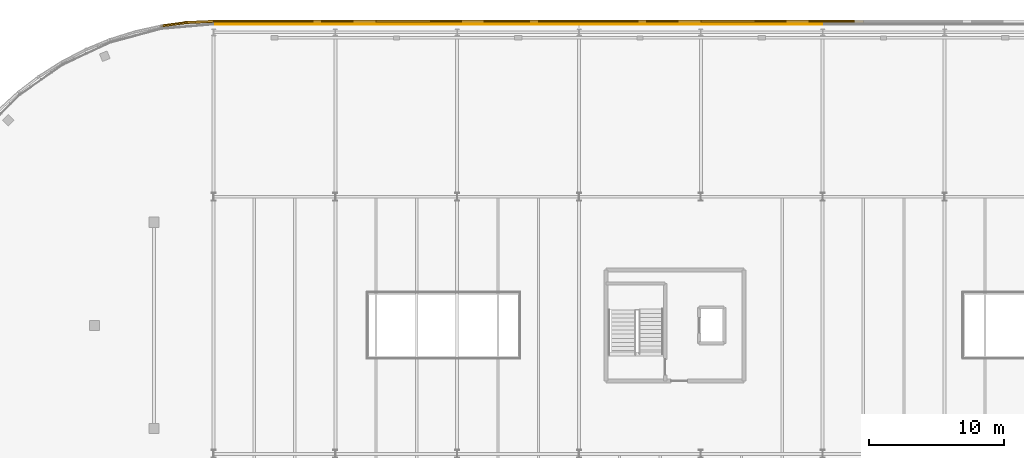
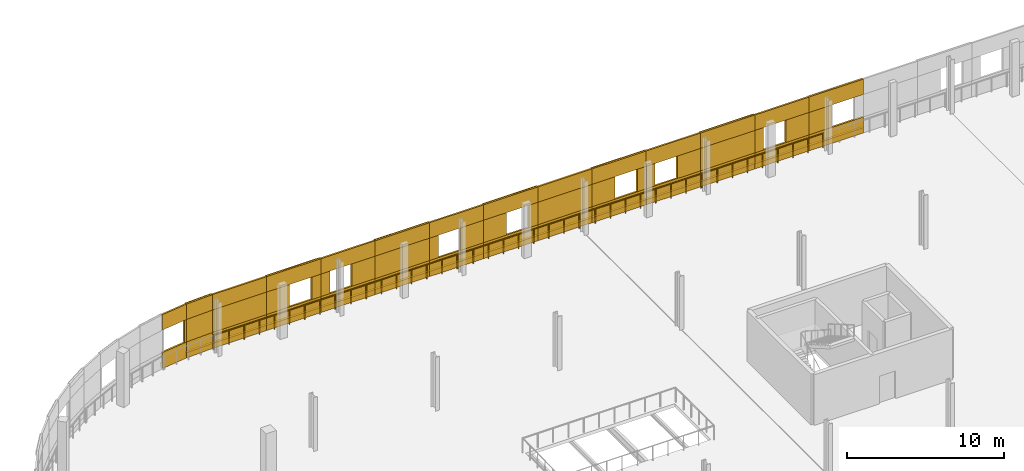
# One storey, part 139 of 140: 69 coverings, 5 railings.
"""IFC4 building model written with IfcOpenShell, lengths in metres."""

from ifc_helpers import new_model, si_unit, direction, frame, origin, origin_2d, place, context, subcontext, project, spatial, rectangle, circle, extrude, material, layer, layer_set, type_object, element, save


model = new_model("IFC4")

# Units and contexts
model_context = context("Model", 3, precision=1e-05, world=origin(), true_north=direction((0.0, 1.0)))
body_context = subcontext(model_context, "Body", "Model", "MODEL_VIEW")
ifc_project = project(units=[si_unit("LENGTHUNIT", "METRE"), si_unit("AREAUNIT", "SQUARE_METRE"), si_unit("VOLUMEUNIT", "CUBIC_METRE"), si_unit("PLANEANGLEUNIT", "RADIAN"), si_unit("MASSUNIT", "GRAM", prefix="KILO")], contexts=[model_context])

# Site, building, storey
site_placement = place(None, origin())
site = spatial("IfcSite", under=ifc_project, at=site_placement, CompositionType="ELEMENT")
building_placement = place(site_placement, origin())
building = spatial("IfcBuilding", under=site, at=building_placement, Name="Deido Ridge Mobility Hub", CompositionType="ELEMENT")
storey_placement = place(building_placement, origin())
storey = spatial("IfcBuildingStorey", under=building, at=storey_placement, Name="L00", CompositionType="ELEMENT", Elevation=0.0)

# Coverings
ifc_material_1 = material(Name="Fired clay brick masonry", Category="masonry")
ifc_layer = layer(ifc_material_1, 0.114990234375, Name="Fired clay brick masonry")
ifc_layer_set = layer_set([ifc_layer], Name="Fired clay brick masonry")
covering_type = type_object("IfcCoveringType", Name="COV-BRK-SCREEN-115", PredefinedType="CLADDING", material=ifc_layer_set)
covering_1_placement = place(storey_placement, frame((91.0, 125.947509765625, 0.0), z_axis=(0.0, 0.0, 1.0), x_axis=(-1.0, 0.0, 0.0)))
element("IfcCovering", 1, at=covering_1_placement, inside=storey, type_object=covering_type, Name="Open brickwork spandrel course BKS1 (L00)", PredefinedType="CLADDING", context=body_context, shape_type="SweptSolid", body=[
    extrude(rectangle(XDim=4.01611328125, YDim=0.125, at=origin_2d()), origin(), (0.0, 0.0, 1.0), 1.25),
])
covering_2_placement = place(storey_placement, frame((91.0, 125.97509765625, 0.0), z_axis=(0.0, 0.0, 1.0), x_axis=(-1.0, 0.0, 0.0)))
element("IfcCovering", 2, at=covering_2_placement, inside=storey, type_object=covering_type, Name="Raised brick relief belt BKS1 (L00)", PredefinedType="CLADDING", context=body_context, shape_type="SweptSolid", body=[
    extrude(rectangle(XDim=4.01611328125, YDim=0.179931640625, at=origin_2d()), origin(), (0.0, 0.0, 1.0), 0.39990234375),
])
covering_3_placement = place(storey_placement, frame((91.0, 125.947509765625, 3.0), z_axis=(0.0, 0.0, 1.0), x_axis=(-1.0, 0.0, 0.0)))
element("IfcCovering", 3, at=covering_3_placement, inside=storey, type_object=covering_type, Name="Open brickwork lintel course BKS1 (L00)", PredefinedType="CLADDING", context=body_context, shape_type="SweptSolid", body=[
    extrude(rectangle(XDim=4.01611328125, YDim=0.125, at=origin_2d()), origin(), (0.0, 0.0, 1.0), 1.199951171875),
])
covering_4_placement = place(storey_placement, frame((89.847412109375, 125.947509765625, 1.25), z_axis=(0.0, 0.0, 1.0), x_axis=(-1.0, 0.0, 0.0)))
element("IfcCovering", 4, at=covering_4_placement, inside=storey, type_object=covering_type, Name="Open brickwork pier BKS1 (L00)", PredefinedType="CLADDING", context=body_context, shape_type="SweptSolid", body=[
    extrude(rectangle(XDim=1.695068359375, YDim=0.125, at=origin_2d()), origin(), (0.0, 0.0, 1.0), 1.75),
])
covering_5_placement = place(storey_placement, frame((87.0, 125.947509765625, 0.0), z_axis=(0.0, 0.0, 1.0), x_axis=(-1.0, 0.0, 0.0)))
element("IfcCovering", 5, at=covering_5_placement, inside=storey, type_object=covering_type, Name="Open brickwork spandrel course BKS1 (L00)", PredefinedType="CLADDING", context=body_context, shape_type="SweptSolid", body=[
    extrude(rectangle(XDim=4.01611328125, YDim=0.125, at=origin_2d()), origin(), (0.0, 0.0, 1.0), 1.25),
])
covering_6_placement = place(storey_placement, frame((87.0, 125.97509765625, 0.0), z_axis=(0.0, 0.0, 1.0), x_axis=(-1.0, 0.0, 0.0)))
element("IfcCovering", 6, at=covering_6_placement, inside=storey, type_object=covering_type, Name="Raised brick relief belt BKS1 (L00)", PredefinedType="CLADDING", context=body_context, shape_type="SweptSolid", body=[
    extrude(rectangle(XDim=4.01611328125, YDim=0.179931640625, at=origin_2d()), origin(), (0.0, 0.0, 1.0), 0.39990234375),
])
covering_7_placement = place(storey_placement, frame((87.0, 125.947509765625, 3.0), z_axis=(0.0, 0.0, 1.0), x_axis=(-1.0, 0.0, 0.0)))
element("IfcCovering", 7, at=covering_7_placement, inside=storey, type_object=covering_type, Name="Open brickwork lintel course BKS1 (L00)", PredefinedType="CLADDING", context=body_context, shape_type="SweptSolid", body=[
    extrude(rectangle(XDim=4.01611328125, YDim=0.125, at=origin_2d()), origin(), (0.0, 0.0, 1.0), 1.199951171875),
])
covering_8_placement = place(storey_placement, frame((88.152587890625, 125.97509765625, 1.25), z_axis=(0.0, 0.0, 1.0), x_axis=(-1.0, 0.0, 0.0)))
element("IfcCovering", 8, at=covering_8_placement, inside=storey, type_object=covering_type, Name="Open brickwork pier BKS1 (L00)", PredefinedType="CLADDING", context=body_context, shape_type="SweptSolid", body=[
    extrude(rectangle(XDim=1.695068359375, YDim=0.179931640625, at=origin_2d()), origin(), (0.0, 0.0, 1.0), 1.75),
])
covering_9_placement = place(storey_placement, frame((85.327392578125, 125.947509765625, 1.25), z_axis=(0.0, 0.0, 1.0), x_axis=(-1.0, 0.0, 0.0)))
element("IfcCovering", 9, at=covering_9_placement, inside=storey, type_object=covering_type, Name="Open brickwork pier BKS1 (L00)", PredefinedType="CLADDING", context=body_context, shape_type="SweptSolid", body=[
    extrude(rectangle(XDim=0.655029296875, YDim=0.125, at=origin_2d()), origin(), (0.0, 0.0, 1.0), 1.75),
])
covering_10_placement = place(storey_placement, frame((83.0, 125.947509765625, 0.0), z_axis=(0.0, 0.0, 1.0), x_axis=(-1.0, 0.0, 0.0)))
element("IfcCovering", 10, at=covering_10_placement, inside=storey, type_object=covering_type, Name="Open brickwork spandrel course BKS1 (L00)", PredefinedType="CLADDING", context=body_context, shape_type="SweptSolid", body=[
    extrude(rectangle(XDim=4.01611328125, YDim=0.125, at=origin_2d()), origin(), (0.0, 0.0, 1.0), 1.25),
])
covering_11_placement = place(storey_placement, frame((83.0, 125.97509765625, 0.0), z_axis=(0.0, 0.0, 1.0), x_axis=(-1.0, 0.0, 0.0)))
element("IfcCovering", 11, at=covering_11_placement, inside=storey, type_object=covering_type, Name="Raised brick relief belt BKS1 (L00)", PredefinedType="CLADDING", context=body_context, shape_type="SweptSolid", body=[
    extrude(rectangle(XDim=4.01611328125, YDim=0.179931640625, at=origin_2d()), origin(), (0.0, 0.0, 1.0), 0.39990234375),
])
covering_12_placement = place(storey_placement, frame((83.0, 125.947509765625, 3.0), z_axis=(0.0, 0.0, 1.0), x_axis=(-1.0, 0.0, 0.0)))
element("IfcCovering", 12, at=covering_12_placement, inside=storey, type_object=covering_type, Name="Open brickwork lintel course BKS1 (L00)", PredefinedType="CLADDING", context=body_context, shape_type="SweptSolid", body=[
    extrude(rectangle(XDim=4.01611328125, YDim=0.125, at=origin_2d()), origin(), (0.0, 0.0, 1.0), 1.199951171875),
])
covering_13_placement = place(storey_placement, frame((83.0, 125.97509765625, 3.83984375), z_axis=(0.0, 0.0, 1.0), x_axis=(-1.0, 0.0, 0.0)))
element("IfcCovering", 13, at=covering_13_placement, inside=storey, type_object=covering_type, Name="Raised brick relief cornice BKS1 (L00)", PredefinedType="CLADDING", context=body_context, shape_type="SweptSolid", body=[
    extrude(rectangle(XDim=4.01611328125, YDim=0.179931640625, at=origin_2d()), origin(), (0.0, 0.0, 1.0), 0.360107421875),
])
covering_14_placement = place(storey_placement, frame((83.0, 125.97509765625, 1.25), z_axis=(0.0, 0.0, 1.0), x_axis=(-1.0, 0.0, 0.0)))
element("IfcCovering", 14, at=covering_14_placement, inside=storey, type_object=covering_type, Name="Raised brick relief panel BKS1 (L00)", PredefinedType="CLADDING", context=body_context, shape_type="SweptSolid", body=[
    extrude(rectangle(XDim=4.008056640625, YDim=0.179931640625, at=origin_2d()), origin(), (0.0, 0.0, 1.0), 1.75),
])
covering_15_placement = place(storey_placement, frame((79.0, 125.947509765625, 0.0), z_axis=(0.0, 0.0, 1.0), x_axis=(-1.0, 0.0, 0.0)))
element("IfcCovering", 15, at=covering_15_placement, inside=storey, type_object=covering_type, Name="Open brickwork spandrel course BKS1 (L00)", PredefinedType="CLADDING", context=body_context, shape_type="SweptSolid", body=[
    extrude(rectangle(XDim=4.01611328125, YDim=0.125, at=origin_2d()), origin(), (0.0, 0.0, 1.0), 1.25),
])
covering_16_placement = place(storey_placement, frame((79.0, 125.97509765625, 0.0), z_axis=(0.0, 0.0, 1.0), x_axis=(-1.0, 0.0, 0.0)))
element("IfcCovering", 16, at=covering_16_placement, inside=storey, type_object=covering_type, Name="Raised brick relief belt BKS1 (L00)", PredefinedType="CLADDING", context=body_context, shape_type="SweptSolid", body=[
    extrude(rectangle(XDim=4.01611328125, YDim=0.179931640625, at=origin_2d()), origin(), (0.0, 0.0, 1.0), 0.39990234375),
])
covering_17_placement = place(storey_placement, frame((79.0, 125.947509765625, 3.0), z_axis=(0.0, 0.0, 1.0), x_axis=(-1.0, 0.0, 0.0)))
element("IfcCovering", 17, at=covering_17_placement, inside=storey, type_object=covering_type, Name="Open brickwork lintel course BKS1 (L00)", PredefinedType="CLADDING", context=body_context, shape_type="SweptSolid", body=[
    extrude(rectangle(XDim=4.01611328125, YDim=0.125, at=origin_2d()), origin(), (0.0, 0.0, 1.0), 1.199951171875),
])
covering_18_placement = place(storey_placement, frame((80.152587890625, 125.97509765625, 1.25), z_axis=(0.0, 0.0, 1.0), x_axis=(-1.0, 0.0, 0.0)))
element("IfcCovering", 18, at=covering_18_placement, inside=storey, type_object=covering_type, Name="Open brickwork pier BKS1 (L00)", PredefinedType="CLADDING", context=body_context, shape_type="SweptSolid", body=[
    extrude(rectangle(XDim=1.695068359375, YDim=0.179931640625, at=origin_2d()), origin(), (0.0, 0.0, 1.0), 1.75),
])
covering_19_placement = place(storey_placement, frame((77.327392578125, 125.947509765625, 1.25), z_axis=(0.0, 0.0, 1.0), x_axis=(-1.0, 0.0, 0.0)))
element("IfcCovering", 19, at=covering_19_placement, inside=storey, type_object=covering_type, Name="Open brickwork pier BKS1 (L00)", PredefinedType="CLADDING", context=body_context, shape_type="SweptSolid", body=[
    extrude(rectangle(XDim=0.655029296875, YDim=0.125, at=origin_2d()), origin(), (0.0, 0.0, 1.0), 1.75),
])
covering_20_placement = place(storey_placement, frame((75.0, 125.947509765625, 0.0), z_axis=(0.0, 0.0, 1.0), x_axis=(-1.0, 0.0, 0.0)))
element("IfcCovering", 20, at=covering_20_placement, inside=storey, type_object=covering_type, Name="Open brickwork spandrel course BKS1 (L00)", PredefinedType="CLADDING", context=body_context, shape_type="SweptSolid", body=[
    extrude(rectangle(XDim=4.01611328125, YDim=0.125, at=origin_2d()), origin(), (0.0, 0.0, 1.0), 1.25),
])
covering_21_placement = place(storey_placement, frame((75.0, 125.97509765625, 0.0), z_axis=(0.0, 0.0, 1.0), x_axis=(-1.0, 0.0, 0.0)))
element("IfcCovering", 21, at=covering_21_placement, inside=storey, type_object=covering_type, Name="Raised brick relief belt BKS1 (L00)", PredefinedType="CLADDING", context=body_context, shape_type="SweptSolid", body=[
    extrude(rectangle(XDim=4.01611328125, YDim=0.179931640625, at=origin_2d()), origin(), (0.0, 0.0, 1.0), 0.39990234375),
])
covering_22_placement = place(storey_placement, frame((75.0, 125.947509765625, 3.0), z_axis=(0.0, 0.0, 1.0), x_axis=(-1.0, 0.0, 0.0)))
element("IfcCovering", 22, at=covering_22_placement, inside=storey, type_object=covering_type, Name="Open brickwork lintel course BKS1 (L00)", PredefinedType="CLADDING", context=body_context, shape_type="SweptSolid", body=[
    extrude(rectangle(XDim=4.01611328125, YDim=0.125, at=origin_2d()), origin(), (0.0, 0.0, 1.0), 1.199951171875),
])
covering_23_placement = place(storey_placement, frame((75.0, 125.97509765625, 3.83984375), z_axis=(0.0, 0.0, 1.0), x_axis=(-1.0, 0.0, 0.0)))
element("IfcCovering", 23, at=covering_23_placement, inside=storey, type_object=covering_type, Name="Raised brick relief cornice BKS1 (L00)", PredefinedType="CLADDING", context=body_context, shape_type="SweptSolid", body=[
    extrude(rectangle(XDim=4.01611328125, YDim=0.179931640625, at=origin_2d()), origin(), (0.0, 0.0, 1.0), 0.360107421875),
])
covering_24_placement = place(storey_placement, frame((76.672607421875, 125.97509765625, 1.25), z_axis=(0.0, 0.0, 1.0), x_axis=(-1.0, 0.0, 0.0)))
element("IfcCovering", 24, at=covering_24_placement, inside=storey, type_object=covering_type, Name="Open brickwork pier BKS1 (L00)", PredefinedType="CLADDING", context=body_context, shape_type="SweptSolid", body=[
    extrude(rectangle(XDim=0.655029296875, YDim=0.179931640625, at=origin_2d()), origin(), (0.0, 0.0, 1.0), 1.75),
])
covering_25_placement = place(storey_placement, frame((73.847412109375, 125.947509765625, 1.25), z_axis=(0.0, 0.0, 1.0), x_axis=(-1.0, 0.0, 0.0)))
element("IfcCovering", 25, at=covering_25_placement, inside=storey, type_object=covering_type, Name="Open brickwork pier BKS1 (L00)", PredefinedType="CLADDING", context=body_context, shape_type="SweptSolid", body=[
    extrude(rectangle(XDim=1.695068359375, YDim=0.125, at=origin_2d()), origin(), (0.0, 0.0, 1.0), 1.75),
])
covering_26_placement = place(storey_placement, frame((71.0, 125.947509765625, 0.0), z_axis=(0.0, 0.0, 1.0), x_axis=(-1.0, 0.0, 0.0)))
element("IfcCovering", 26, at=covering_26_placement, inside=storey, type_object=covering_type, Name="Open brickwork spandrel course BKS1 (L00)", PredefinedType="CLADDING", context=body_context, shape_type="SweptSolid", body=[
    extrude(rectangle(XDim=4.01611328125, YDim=0.125, at=origin_2d()), origin(), (0.0, 0.0, 1.0), 1.25),
])
covering_27_placement = place(storey_placement, frame((71.0, 125.97509765625, 0.0), z_axis=(0.0, 0.0, 1.0), x_axis=(-1.0, 0.0, 0.0)))
element("IfcCovering", 27, at=covering_27_placement, inside=storey, type_object=covering_type, Name="Raised brick relief belt BKS1 (L00)", PredefinedType="CLADDING", context=body_context, shape_type="SweptSolid", body=[
    extrude(rectangle(XDim=4.01611328125, YDim=0.179931640625, at=origin_2d()), origin(), (0.0, 0.0, 1.0), 0.39990234375),
])
covering_28_placement = place(storey_placement, frame((71.0, 125.947509765625, 3.0), z_axis=(0.0, 0.0, 1.0), x_axis=(-1.0, 0.0, 0.0)))
element("IfcCovering", 28, at=covering_28_placement, inside=storey, type_object=covering_type, Name="Open brickwork lintel course BKS1 (L00)", PredefinedType="CLADDING", context=body_context, shape_type="SweptSolid", body=[
    extrude(rectangle(XDim=4.01611328125, YDim=0.125, at=origin_2d()), origin(), (0.0, 0.0, 1.0), 1.199951171875),
])
covering_29_placement = place(storey_placement, frame((71.0, 125.97509765625, 1.25), z_axis=(0.0, 0.0, 1.0), x_axis=(-1.0, 0.0, 0.0)))
element("IfcCovering", 29, at=covering_29_placement, inside=storey, type_object=covering_type, Name="Raised brick relief panel BKS1 (L00)", PredefinedType="CLADDING", context=body_context, shape_type="SweptSolid", body=[
    extrude(rectangle(XDim=4.008056640625, YDim=0.179931640625, at=origin_2d()), origin(), (0.0, 0.0, 1.0), 1.75),
])
covering_30_placement = place(storey_placement, frame((67.0, 125.947509765625, 0.0), z_axis=(0.0, 0.0, 1.0), x_axis=(-1.0, 0.0, 0.0)))
element("IfcCovering", 30, at=covering_30_placement, inside=storey, type_object=covering_type, Name="Open brickwork spandrel course BKS1 (L00)", PredefinedType="CLADDING", context=body_context, shape_type="SweptSolid", body=[
    extrude(rectangle(XDim=4.01611328125, YDim=0.125, at=origin_2d()), origin(), (0.0, 0.0, 1.0), 1.25),
])
covering_31_placement = place(storey_placement, frame((67.0, 125.97509765625, 0.0), z_axis=(0.0, 0.0, 1.0), x_axis=(-1.0, 0.0, 0.0)))
element("IfcCovering", 31, at=covering_31_placement, inside=storey, type_object=covering_type, Name="Raised brick relief belt BKS1 (L00)", PredefinedType="CLADDING", context=body_context, shape_type="SweptSolid", body=[
    extrude(rectangle(XDim=4.01611328125, YDim=0.179931640625, at=origin_2d()), origin(), (0.0, 0.0, 1.0), 0.39990234375),
])
covering_32_placement = place(storey_placement, frame((67.0, 125.947509765625, 3.0), z_axis=(0.0, 0.0, 1.0), x_axis=(-1.0, 0.0, 0.0)))
element("IfcCovering", 32, at=covering_32_placement, inside=storey, type_object=covering_type, Name="Open brickwork lintel course BKS1 (L00)", PredefinedType="CLADDING", context=body_context, shape_type="SweptSolid", body=[
    extrude(rectangle(XDim=4.01611328125, YDim=0.125, at=origin_2d()), origin(), (0.0, 0.0, 1.0), 1.199951171875),
])
covering_33_placement = place(storey_placement, frame((67.0, 125.97509765625, 3.83984375), z_axis=(0.0, 0.0, 1.0), x_axis=(-1.0, 0.0, 0.0)))
element("IfcCovering", 33, at=covering_33_placement, inside=storey, type_object=covering_type, Name="Raised brick relief cornice BKS1 (L00)", PredefinedType="CLADDING", context=body_context, shape_type="SweptSolid", body=[
    extrude(rectangle(XDim=4.01611328125, YDim=0.179931640625, at=origin_2d()), origin(), (0.0, 0.0, 1.0), 0.360107421875),
])
covering_34_placement = place(storey_placement, frame((68.672607421875, 125.97509765625, 1.25), z_axis=(0.0, 0.0, 1.0), x_axis=(-1.0, 0.0, 0.0)))
element("IfcCovering", 34, at=covering_34_placement, inside=storey, type_object=covering_type, Name="Open brickwork pier BKS1 (L00)", PredefinedType="CLADDING", context=body_context, shape_type="SweptSolid", body=[
    extrude(rectangle(XDim=0.655029296875, YDim=0.179931640625, at=origin_2d()), origin(), (0.0, 0.0, 1.0), 1.75),
])
covering_35_placement = place(storey_placement, frame((65.847412109375, 125.947509765625, 1.25), z_axis=(0.0, 0.0, 1.0), x_axis=(-1.0, 0.0, 0.0)))
element("IfcCovering", 35, at=covering_35_placement, inside=storey, type_object=covering_type, Name="Open brickwork pier BKS1 (L00)", PredefinedType="CLADDING", context=body_context, shape_type="SweptSolid", body=[
    extrude(rectangle(XDim=1.695068359375, YDim=0.125, at=origin_2d()), origin(), (0.0, 0.0, 1.0), 1.75),
])
covering_36_placement = place(storey_placement, frame((63.0, 125.947509765625, 0.0), z_axis=(0.0, 0.0, 1.0), x_axis=(-1.0, 0.0, 0.0)))
element("IfcCovering", 36, at=covering_36_placement, inside=storey, type_object=covering_type, Name="Open brickwork spandrel course BKS1 (L00)", PredefinedType="CLADDING", context=body_context, shape_type="SweptSolid", body=[
    extrude(rectangle(XDim=4.01611328125, YDim=0.125, at=origin_2d()), origin(), (0.0, 0.0, 1.0), 1.25),
])
covering_37_placement = place(storey_placement, frame((63.0, 125.97509765625, 0.0), z_axis=(0.0, 0.0, 1.0), x_axis=(-1.0, 0.0, 0.0)))
element("IfcCovering", 37, at=covering_37_placement, inside=storey, type_object=covering_type, Name="Raised brick relief belt BKS1 (L00)", PredefinedType="CLADDING", context=body_context, shape_type="SweptSolid", body=[
    extrude(rectangle(XDim=4.01611328125, YDim=0.179931640625, at=origin_2d()), origin(), (0.0, 0.0, 1.0), 0.39990234375),
])
covering_38_placement = place(storey_placement, frame((63.0, 125.947509765625, 3.0), z_axis=(0.0, 0.0, 1.0), x_axis=(-1.0, 0.0, 0.0)))
element("IfcCovering", 38, at=covering_38_placement, inside=storey, type_object=covering_type, Name="Open brickwork lintel course BKS1 (L00)", PredefinedType="CLADDING", context=body_context, shape_type="SweptSolid", body=[
    extrude(rectangle(XDim=4.01611328125, YDim=0.125, at=origin_2d()), origin(), (0.0, 0.0, 1.0), 1.199951171875),
])
covering_39_placement = place(storey_placement, frame((64.152587890625, 125.97509765625, 1.25), z_axis=(0.0, 0.0, 1.0), x_axis=(-1.0, 0.0, 0.0)))
element("IfcCovering", 39, at=covering_39_placement, inside=storey, type_object=covering_type, Name="Open brickwork pier BKS1 (L00)", PredefinedType="CLADDING", context=body_context, shape_type="SweptSolid", body=[
    extrude(rectangle(XDim=1.695068359375, YDim=0.179931640625, at=origin_2d()), origin(), (0.0, 0.0, 1.0), 1.75),
])
covering_40_placement = place(storey_placement, frame((61.327392578125, 125.947509765625, 1.25), z_axis=(0.0, 0.0, 1.0), x_axis=(-1.0, 0.0, 0.0)))
element("IfcCovering", 40, at=covering_40_placement, inside=storey, type_object=covering_type, Name="Open brickwork pier BKS1 (L00)", PredefinedType="CLADDING", context=body_context, shape_type="SweptSolid", body=[
    extrude(rectangle(XDim=0.655029296875, YDim=0.125, at=origin_2d()), origin(), (0.0, 0.0, 1.0), 1.75),
])
covering_41_placement = place(storey_placement, frame((59.0, 125.947509765625, 0.0), z_axis=(0.0, 0.0, 1.0), x_axis=(-1.0, 0.0, 0.0)))
element("IfcCovering", 41, at=covering_41_placement, inside=storey, type_object=covering_type, Name="Open brickwork spandrel course BKS1 (L00)", PredefinedType="CLADDING", context=body_context, shape_type="SweptSolid", body=[
    extrude(rectangle(XDim=4.01611328125, YDim=0.125, at=origin_2d()), origin(), (0.0, 0.0, 1.0), 1.25),
])
covering_42_placement = place(storey_placement, frame((59.0, 125.97509765625, 0.0), z_axis=(0.0, 0.0, 1.0), x_axis=(-1.0, 0.0, 0.0)))
element("IfcCovering", 42, at=covering_42_placement, inside=storey, type_object=covering_type, Name="Raised brick relief belt BKS1 (L00)", PredefinedType="CLADDING", context=body_context, shape_type="SweptSolid", body=[
    extrude(rectangle(XDim=4.01611328125, YDim=0.179931640625, at=origin_2d()), origin(), (0.0, 0.0, 1.0), 0.39990234375),
])
covering_43_placement = place(storey_placement, frame((59.0, 125.947509765625, 3.0), z_axis=(0.0, 0.0, 1.0), x_axis=(-1.0, 0.0, 0.0)))
element("IfcCovering", 43, at=covering_43_placement, inside=storey, type_object=covering_type, Name="Open brickwork lintel course BKS1 (L00)", PredefinedType="CLADDING", context=body_context, shape_type="SweptSolid", body=[
    extrude(rectangle(XDim=4.01611328125, YDim=0.125, at=origin_2d()), origin(), (0.0, 0.0, 1.0), 1.199951171875),
])
covering_44_placement = place(storey_placement, frame((59.0, 125.97509765625, 3.83984375), z_axis=(0.0, 0.0, 1.0), x_axis=(-1.0, 0.0, 0.0)))
element("IfcCovering", 44, at=covering_44_placement, inside=storey, type_object=covering_type, Name="Raised brick relief cornice BKS1 (L00)", PredefinedType="CLADDING", context=body_context, shape_type="SweptSolid", body=[
    extrude(rectangle(XDim=4.01611328125, YDim=0.179931640625, at=origin_2d()), origin(), (0.0, 0.0, 1.0), 0.360107421875),
])
covering_45_placement = place(storey_placement, frame((59.0, 125.97509765625, 1.25), z_axis=(0.0, 0.0, 1.0), x_axis=(-1.0, 0.0, 0.0)))
element("IfcCovering", 45, at=covering_45_placement, inside=storey, type_object=covering_type, Name="Raised brick relief panel BKS1 (L00)", PredefinedType="CLADDING", context=body_context, shape_type="SweptSolid", body=[
    extrude(rectangle(XDim=4.008056640625, YDim=0.179931640625, at=origin_2d()), origin(), (0.0, 0.0, 1.0), 1.75),
])
covering_46_placement = place(storey_placement, frame((55.0, 125.947509765625, 0.0), z_axis=(0.0, 0.0, 1.0), x_axis=(-1.0, 0.0, 0.0)))
element("IfcCovering", 46, at=covering_46_placement, inside=storey, type_object=covering_type, Name="Open brickwork spandrel course BKS1 (L00)", PredefinedType="CLADDING", context=body_context, shape_type="SweptSolid", body=[
    extrude(rectangle(XDim=4.01611328125, YDim=0.125, at=origin_2d()), origin(), (0.0, 0.0, 1.0), 1.25),
])
covering_47_placement = place(storey_placement, frame((55.0, 125.97509765625, 0.0), z_axis=(0.0, 0.0, 1.0), x_axis=(-1.0, 0.0, 0.0)))
element("IfcCovering", 47, at=covering_47_placement, inside=storey, type_object=covering_type, Name="Raised brick relief belt BKS1 (L00)", PredefinedType="CLADDING", context=body_context, shape_type="SweptSolid", body=[
    extrude(rectangle(XDim=4.01611328125, YDim=0.179931640625, at=origin_2d()), origin(), (0.0, 0.0, 1.0), 0.39990234375),
])
covering_48_placement = place(storey_placement, frame((55.0, 125.947509765625, 3.0), z_axis=(0.0, 0.0, 1.0), x_axis=(-1.0, 0.0, 0.0)))
element("IfcCovering", 48, at=covering_48_placement, inside=storey, type_object=covering_type, Name="Open brickwork lintel course BKS1 (L00)", PredefinedType="CLADDING", context=body_context, shape_type="SweptSolid", body=[
    extrude(rectangle(XDim=4.01611328125, YDim=0.125, at=origin_2d()), origin(), (0.0, 0.0, 1.0), 1.199951171875),
])
covering_49_placement = place(storey_placement, frame((56.152587890625, 125.97509765625, 1.25), z_axis=(0.0, 0.0, 1.0), x_axis=(-1.0, 0.0, 0.0)))
element("IfcCovering", 49, at=covering_49_placement, inside=storey, type_object=covering_type, Name="Open brickwork pier BKS1 (L00)", PredefinedType="CLADDING", context=body_context, shape_type="SweptSolid", body=[
    extrude(rectangle(XDim=1.695068359375, YDim=0.179931640625, at=origin_2d()), origin(), (0.0, 0.0, 1.0), 1.75),
])
covering_50_placement = place(storey_placement, frame((53.327392578125, 125.947509765625, 1.25), z_axis=(0.0, 0.0, 1.0), x_axis=(-1.0, 0.0, 0.0)))
element("IfcCovering", 50, at=covering_50_placement, inside=storey, type_object=covering_type, Name="Open brickwork pier BKS1 (L00)", PredefinedType="CLADDING", context=body_context, shape_type="SweptSolid", body=[
    extrude(rectangle(XDim=0.655029296875, YDim=0.125, at=origin_2d()), origin(), (0.0, 0.0, 1.0), 1.75),
])
covering_51_placement = place(storey_placement, frame((51.0, 125.947509765625, 0.0), z_axis=(0.0, 0.0, 1.0), x_axis=(-1.0, 0.0, 0.0)))
element("IfcCovering", 51, at=covering_51_placement, inside=storey, type_object=covering_type, Name="Open brickwork spandrel course BKS1 (L00)", PredefinedType="CLADDING", context=body_context, shape_type="SweptSolid", body=[
    extrude(rectangle(XDim=4.01611328125, YDim=0.125, at=origin_2d()), origin(), (0.0, 0.0, 1.0), 1.25),
])
covering_52_placement = place(storey_placement, frame((51.0, 125.97509765625, 0.0), z_axis=(0.0, 0.0, 1.0), x_axis=(-1.0, 0.0, 0.0)))
element("IfcCovering", 52, at=covering_52_placement, inside=storey, type_object=covering_type, Name="Raised brick relief belt BKS1 (L00)", PredefinedType="CLADDING", context=body_context, shape_type="SweptSolid", body=[
    extrude(rectangle(XDim=4.01611328125, YDim=0.179931640625, at=origin_2d()), origin(), (0.0, 0.0, 1.0), 0.39990234375),
])
covering_53_placement = place(storey_placement, frame((51.0, 125.947509765625, 3.0), z_axis=(0.0, 0.0, 1.0), x_axis=(-1.0, 0.0, 0.0)))
element("IfcCovering", 53, at=covering_53_placement, inside=storey, type_object=covering_type, Name="Open brickwork lintel course BKS1 (L00)", PredefinedType="CLADDING", context=body_context, shape_type="SweptSolid", body=[
    extrude(rectangle(XDim=4.01611328125, YDim=0.125, at=origin_2d()), origin(), (0.0, 0.0, 1.0), 1.199951171875),
])
covering_54_placement = place(storey_placement, frame((51.0, 125.97509765625, 3.83984375), z_axis=(0.0, 0.0, 1.0), x_axis=(-1.0, 0.0, 0.0)))
element("IfcCovering", 54, at=covering_54_placement, inside=storey, type_object=covering_type, Name="Raised brick relief cornice BKS1 (L00)", PredefinedType="CLADDING", context=body_context, shape_type="SweptSolid", body=[
    extrude(rectangle(XDim=4.01611328125, YDim=0.179931640625, at=origin_2d()), origin(), (0.0, 0.0, 1.0), 0.360107421875),
])
covering_55_placement = place(storey_placement, frame((52.672607421875, 125.97509765625, 1.25), z_axis=(0.0, 0.0, 1.0), x_axis=(-1.0, 0.0, 0.0)))
element("IfcCovering", 55, at=covering_55_placement, inside=storey, type_object=covering_type, Name="Open brickwork pier BKS1 (L00)", PredefinedType="CLADDING", context=body_context, shape_type="SweptSolid", body=[
    extrude(rectangle(XDim=0.655029296875, YDim=0.179931640625, at=origin_2d()), origin(), (0.0, 0.0, 1.0), 1.75),
])
covering_56_placement = place(storey_placement, frame((49.847412109375, 125.947509765625, 1.25), z_axis=(0.0, 0.0, 1.0), x_axis=(-1.0, 0.0, 0.0)))
element("IfcCovering", 56, at=covering_56_placement, inside=storey, type_object=covering_type, Name="Open brickwork pier BKS1 (L00)", PredefinedType="CLADDING", context=body_context, shape_type="SweptSolid", body=[
    extrude(rectangle(XDim=1.695068359375, YDim=0.125, at=origin_2d()), origin(), (0.0, 0.0, 1.0), 1.75),
])
covering_57_placement = place(storey_placement, frame((47.0, 125.947509765625, 0.0), z_axis=(0.0, 0.0, 1.0), x_axis=(-1.0, 0.0, 0.0)))
element("IfcCovering", 57, at=covering_57_placement, inside=storey, type_object=covering_type, Name="Open brickwork spandrel course BKS1 (L00)", PredefinedType="CLADDING", context=body_context, shape_type="SweptSolid", body=[
    extrude(rectangle(XDim=4.01611328125, YDim=0.125, at=origin_2d()), origin(), (0.0, 0.0, 1.0), 1.25),
])
covering_58_placement = place(storey_placement, frame((47.0, 125.97509765625, 0.0), z_axis=(0.0, 0.0, 1.0), x_axis=(-1.0, 0.0, 0.0)))
element("IfcCovering", 58, at=covering_58_placement, inside=storey, type_object=covering_type, Name="Raised brick relief belt BKS1 (L00)", PredefinedType="CLADDING", context=body_context, shape_type="SweptSolid", body=[
    extrude(rectangle(XDim=4.01611328125, YDim=0.179931640625, at=origin_2d()), origin(), (0.0, 0.0, 1.0), 0.39990234375),
])
covering_59_placement = place(storey_placement, frame((47.0, 125.947509765625, 3.0), z_axis=(0.0, 0.0, 1.0), x_axis=(-1.0, 0.0, 0.0)))
element("IfcCovering", 59, at=covering_59_placement, inside=storey, type_object=covering_type, Name="Open brickwork lintel course BKS1 (L00)", PredefinedType="CLADDING", context=body_context, shape_type="SweptSolid", body=[
    extrude(rectangle(XDim=4.01611328125, YDim=0.125, at=origin_2d()), origin(), (0.0, 0.0, 1.0), 1.199951171875),
])
covering_60_placement = place(storey_placement, frame((47.0, 125.97509765625, 1.25), z_axis=(0.0, 0.0, 1.0), x_axis=(-1.0, 0.0, 0.0)))
element("IfcCovering", 60, at=covering_60_placement, inside=storey, type_object=covering_type, Name="Raised brick relief panel BKS1 (L00)", PredefinedType="CLADDING", context=body_context, shape_type="SweptSolid", body=[
    extrude(rectangle(XDim=4.008056640625, YDim=0.179931640625, at=origin_2d()), origin(), (0.0, 0.0, 1.0), 1.75),
])
covering_61_placement = place(storey_placement, frame((44.021728515625, 125.90478515625, 0.0), z_axis=(0.0, 0.0, 1.0), x_axis=(-0.999048982732, -0.043601950678, 0.0)))
element("IfcCovering", 61, at=covering_61_placement, inside=storey, type_object=covering_type, Name="Open brickwork spandrel course BKS1 (L00)", PredefinedType="CLADDING", context=body_context, shape_type="SweptSolid", body=[
    extrude(rectangle(XDim=1.9619140625, YDim=0.125, at=origin_2d()), origin(), (0.0, 0.0, 1.0), 1.25),
])
covering_62_placement = place(storey_placement, frame((44.0205078125, 125.932373046875, 0.0), z_axis=(0.0, 0.0, 1.0), x_axis=(-0.999048982732, -0.043601950678, 0.0)))
element("IfcCovering", 62, at=covering_62_placement, inside=storey, type_object=covering_type, Name="Raised brick relief belt BKS1 (L00)", PredefinedType="CLADDING", context=body_context, shape_type="SweptSolid", body=[
    extrude(rectangle(XDim=1.9619140625, YDim=0.179931640625, at=origin_2d()), origin(), (0.0, 0.0, 1.0), 0.39990234375),
])
covering_63_placement = place(storey_placement, frame((44.021728515625, 125.90478515625, 3.0), z_axis=(0.0, 0.0, 1.0), x_axis=(-0.999048982732, -0.043601950678, 0.0)))
element("IfcCovering", 63, at=covering_63_placement, inside=storey, type_object=covering_type, Name="Open brickwork lintel course BKS1 (L00)", PredefinedType="CLADDING", context=body_context, shape_type="SweptSolid", body=[
    extrude(rectangle(XDim=1.9619140625, YDim=0.125, at=origin_2d()), origin(), (0.0, 0.0, 1.0), 1.199951171875),
])
covering_64_placement = place(storey_placement, frame((44.0205078125, 125.932373046875, 3.83984375), z_axis=(0.0, 0.0, 1.0), x_axis=(-0.999048982732, -0.043601950678, 0.0)))
element("IfcCovering", 64, at=covering_64_placement, inside=storey, type_object=covering_type, Name="Raised brick relief cornice BKS1 (L00)", PredefinedType="CLADDING", context=body_context, shape_type="SweptSolid", body=[
    extrude(rectangle(XDim=1.9619140625, YDim=0.179931640625, at=origin_2d()), origin(), (0.0, 0.0, 1.0), 0.360107421875),
])
covering_65_placement = place(storey_placement, frame((44.0205078125, 125.932373046875, 1.25), z_axis=(0.0, 0.0, 1.0), x_axis=(-0.999048982732, -0.043601950678, 0.0)))
element("IfcCovering", 65, at=covering_65_placement, inside=storey, type_object=covering_type, Name="Curved raised brickwork pier BKS1 (L00)", PredefinedType="CLADDING", context=body_context, shape_type="SweptSolid", body=[
    extrude(rectangle(XDim=1.9619140625, YDim=0.179931640625, at=origin_2d()), origin(), (0.0, 0.0, 1.0), 1.75),
])
covering_66_placement = place(storey_placement, frame((42.07275390625, 125.734375, 0.0), z_axis=(0.0, 0.0, 1.0), x_axis=(-0.991442583111, -0.130543496177, 0.0)))
element("IfcCovering", 66, at=covering_66_placement, inside=storey, type_object=covering_type, Name="Open brickwork spandrel course BKS1 (L00)", PredefinedType="CLADDING", context=body_context, shape_type="SweptSolid", body=[
    extrude(rectangle(XDim=1.9619140625, YDim=0.125, at=origin_2d()), origin(), (0.0, 0.0, 1.0), 1.25),
])
covering_67_placement = place(storey_placement, frame((42.069091796875, 125.76171875, 0.0), z_axis=(0.0, 0.0, 1.0), x_axis=(-0.991442583111, -0.130543496177, 0.0)))
element("IfcCovering", 67, at=covering_67_placement, inside=storey, type_object=covering_type, Name="Raised brick relief belt BKS1 (L00)", PredefinedType="CLADDING", context=body_context, shape_type="SweptSolid", body=[
    extrude(rectangle(XDim=1.9619140625, YDim=0.179931640625, at=origin_2d()), origin(), (0.0, 0.0, 1.0), 0.39990234375),
])
covering_68_placement = place(storey_placement, frame((42.07275390625, 125.734375, 3.0), z_axis=(0.0, 0.0, 1.0), x_axis=(-0.991442583111, -0.130543496177, 0.0)))
element("IfcCovering", 68, at=covering_68_placement, inside=storey, type_object=covering_type, Name="Open brickwork lintel course BKS1 (L00)", PredefinedType="CLADDING", context=body_context, shape_type="SweptSolid", body=[
    extrude(rectangle(XDim=1.9619140625, YDim=0.125, at=origin_2d()), origin(), (0.0, 0.0, 1.0), 1.199951171875),
])
covering_69_placement = place(storey_placement, frame((42.96240234375, 125.879150390625, 1.25), z_axis=(0.0, 0.0, 1.0), x_axis=(-0.991442583111, -0.130543496177, 0.0)))
element("IfcCovering", 69, at=covering_69_placement, inside=storey, type_object=covering_type, Name="Curved brick jamb nib BKS1 (L00)", PredefinedType="CLADDING", context=body_context, shape_type="SweptSolid", body=[
    extrude(rectangle(XDim=0.152099609375, YDim=0.179931640625, at=origin_2d()), origin(), (0.0, 0.0, 1.0), 1.75),
])

# Railings
ifc_material_2 = material(Name="Galvanised steel work", Category="steel")
railing_type = type_object("IfcRailingType", Name="RL-GRD-EXT-1150", PredefinedType="GUARDRAIL", material=ifc_material_2)
for number, where, name in (
    (70, (89.9599609375, 125.75, 0.0), "Parking drum perimeter guard (L00)"),
    (71, (80.9599609375, 125.75, 0.0), "Parking drum perimeter guard (L00)"),
    (72, (71.9599609375, 125.75, 0.0), "Parking drum perimeter guard (L00)"),
    (73, (62.9599609375, 125.75, 0.0), "Parking drum perimeter guard (L00)"),
    (74, (53.9599609375, 125.75, 0.0), "Parking drum perimeter guard (L00)"),
):
    element("IfcRailing", number, at=place(storey_placement, frame(where)), inside=storey, type_object=railing_type, Name=name, PredefinedType="GUARDRAIL", context=body_context, shape_type="SweptSolid", body=[
        extrude(circle(Radius=0.02392578125, at=origin_2d()), frame((0.0, 0.0, 1.1259765625), z_axis=(-1.0, 0.0, 0.0), x_axis=(0.0, -1.0, 0.0)), (0.0, 0.0, 1.0), 8.919921875),
        extrude(circle(Radius=0.02099609375, at=origin_2d()), origin(), (0.0, 0.0, 1.0), 1.101806640625),
        extrude(circle(Radius=0.02099609375, at=origin_2d()), frame((-1.114990234375, 0.0, 0.0)), (0.0, 0.0, 1.0), 1.101806640625),
        extrude(circle(Radius=0.02099609375, at=origin_2d()), frame((-2.22998046875, 0.0, 0.0)), (0.0, 0.0, 1.0), 1.101806640625),
        extrude(circle(Radius=0.02099609375, at=origin_2d()), frame((-3.344970703125, 0.0, 0.0)), (0.0, 0.0, 1.0), 1.101806640625),
        extrude(circle(Radius=0.02099609375, at=origin_2d()), frame((-4.4599609375, 0.0, 0.0)), (0.0, 0.0, 1.0), 1.101806640625),
        extrude(circle(Radius=0.02099609375, at=origin_2d()), frame((-5.574951171875, 0.0, 0.0)), (0.0, 0.0, 1.0), 1.101806640625),
        extrude(circle(Radius=0.02099609375, at=origin_2d()), frame((-6.68994140625, 0.0, 0.0)), (0.0, 0.0, 1.0), 1.101806640625),
        extrude(circle(Radius=0.02099609375, at=origin_2d()), frame((-7.804931640625, 0.0, 0.0)), (0.0, 0.0, 1.0), 1.101806640625),
        extrude(circle(Radius=0.02099609375, at=origin_2d()), frame((-8.919921875, 0.0, 0.0)), (0.0, 0.0, 1.0), 1.101806640625),
    ])

save(model, "model.ifc")
